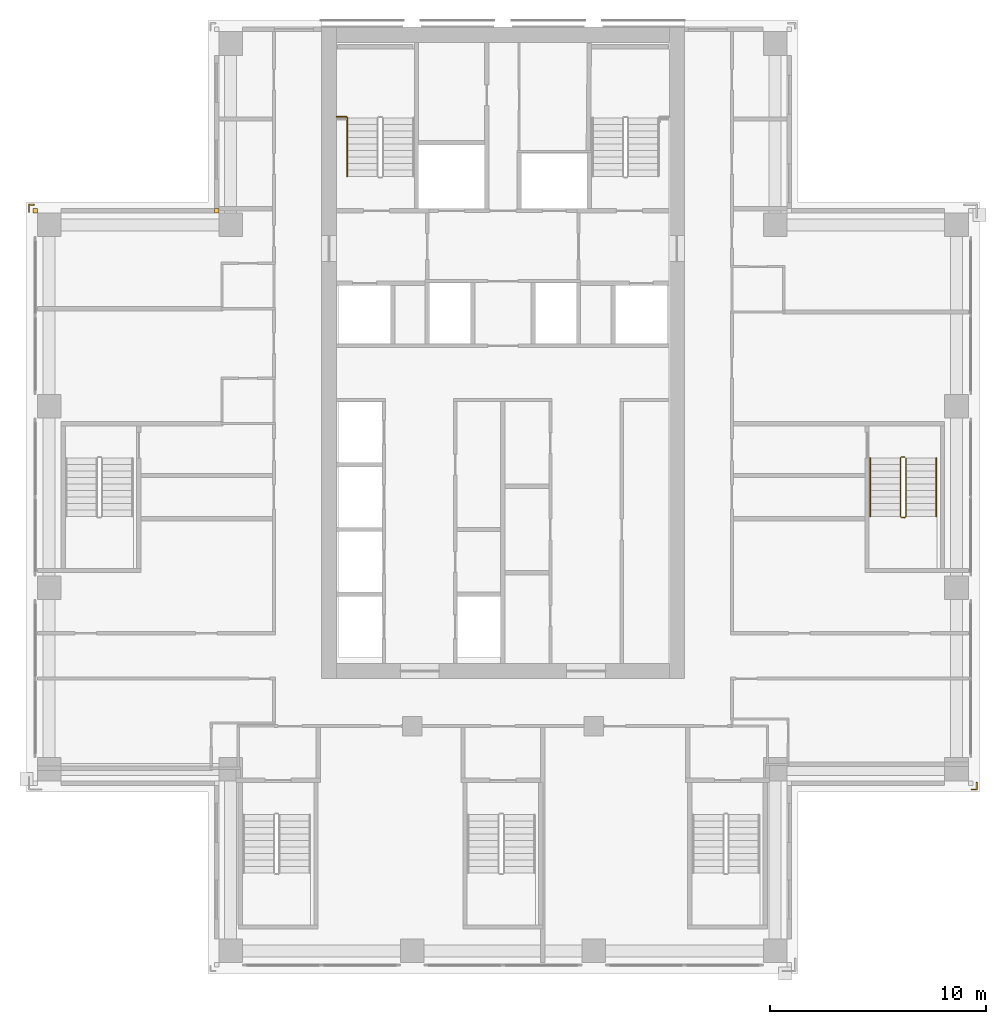
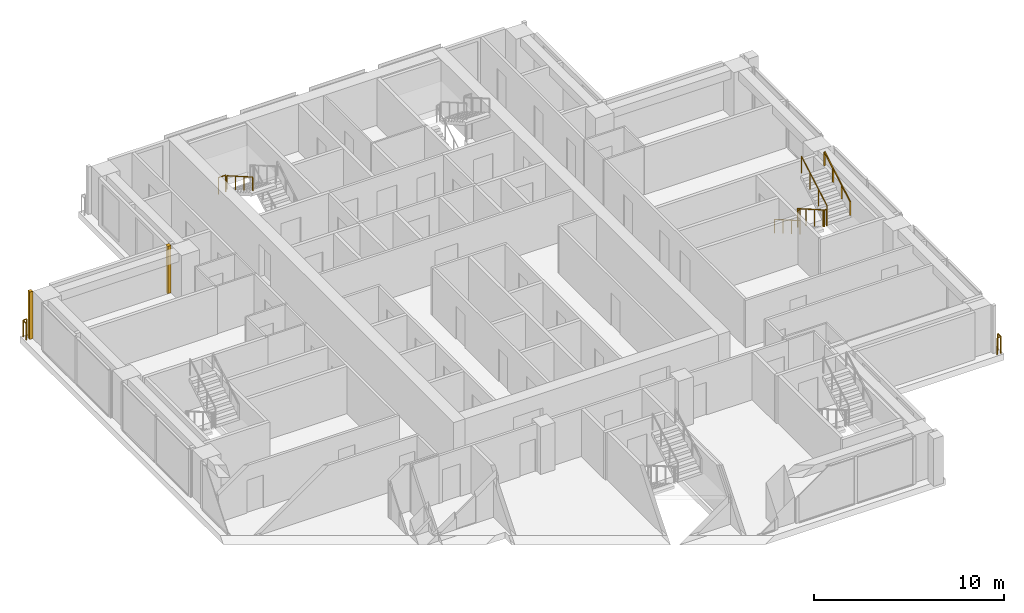
# One storey, part 15 of 16: 7 railings, 2 coverings.
"""IFC4 building model written with IfcOpenShell, lengths in metres."""

from ifc_helpers import new_model, si_unit, direction, frame, origin, origin_2d, place, context, subcontext, project, spatial, polyline, rectangle, outline, extrude, material, type_object, element, save


model = new_model("IFC4")

# Units and contexts
model_context = context("Model", 3, precision=1e-05, world=origin(), true_north=direction((0.0, 1.0)))
body_context = subcontext(model_context, "Body", "Model", "MODEL_VIEW")
ifc_project = project(units=[si_unit("LENGTHUNIT", "METRE"), si_unit("AREAUNIT", "SQUARE_METRE"), si_unit("VOLUMEUNIT", "CUBIC_METRE"), si_unit("PLANEANGLEUNIT", "RADIAN"), si_unit("MASSUNIT", "GRAM", prefix="KILO")], contexts=[model_context])

# Site, building, storey
site_placement = place(None, origin())
site = spatial("IfcSite", under=ifc_project, at=site_placement, CompositionType="ELEMENT")
building_placement = place(site_placement, origin())
building = spatial("IfcBuilding", under=site, at=building_placement, Name="Vermilion Ogive Tower", CompositionType="ELEMENT")
storey_placement = place(building_placement, frame((0.0, 0.0, 160.699951171875)))
storey = spatial("IfcBuildingStorey", under=building, at=storey_placement, Name="L41", CompositionType="ELEMENT", Elevation=160.699951171875)

# Railings
ifc_material_1 = material(Name="Stainless steel", Category="steel")
railing_type_1 = type_object("IfcRailingType", Name="Slab edge guard SG1", PredefinedType="GUARDRAIL", material=ifc_material_1)
railing_1_placement = place(storey_placement, frame((-21.929931640625, 13.199951171875, 0.0)))
element("IfcRailing", 1, at=railing_1_placement, inside=storey, type_object=railing_type_1, Name="L41 slab corner guard", PredefinedType="GUARDRAIL", context=body_context, shape_type="SweptSolid", body=[
    extrude(rectangle(XDim=0.050048828125, YDim=0.050048828125, at=origin_2d()), frame((0.0, 0.0, 1.0751953125), z_axis=(0.0, 1.0, 0.0), x_axis=(-1.0, 0.0, 0.0)), (0.0, 0.0, 1.0), 0.330078125),
    extrude(rectangle(XDim=0.050048828125, YDim=0.050048828125, at=origin_2d()), frame((0.0, 0.330078125, 1.0751953125), z_axis=(1.0, 0.0, 0.0), x_axis=(0.0, 1.0, 0.0)), (0.0, 0.0, 1.0), 0.22998046875),
    extrude(rectangle(XDim=0.050048828125, YDim=0.050048828125, at=origin_2d()), origin(), (0.0, 0.0, 1.0), 1.050048828125),
    extrude(rectangle(XDim=0.050048828125, YDim=0.050048828125, at=origin_2d()), frame((0.0, 0.330078125, 0.0)), (0.0, 0.0, 1.0), 1.050048828125),
    extrude(rectangle(XDim=0.050048828125, YDim=0.050048828125, at=origin_2d()), frame((0.22998046875, 0.330078125, 0.0)), (0.0, 0.0, 1.0), 1.050048828125),
])
railing_2_placement = place(storey_placement, frame((21.929931640625, -13.199951171875, 0.0)))
element("IfcRailing", 2, at=railing_2_placement, inside=storey, type_object=railing_type_1, Name="L41 slab corner guard", PredefinedType="GUARDRAIL", context=body_context, shape_type="SweptSolid", body=[
    extrude(rectangle(XDim=0.050048828125, YDim=0.050048828125, at=origin_2d()), frame((0.0, 0.0, 1.0751953125), z_axis=(0.0, -1.0, 0.0), x_axis=(1.0, 0.0, 0.0)), (0.0, 0.0, 1.0), 0.330078125),
    extrude(rectangle(XDim=0.050048828125, YDim=0.050048828125, at=origin_2d()), frame((0.0, -0.330078125, 1.0751953125), z_axis=(-1.0, 0.0, 0.0), x_axis=(0.0, -1.0, 0.0)), (0.0, 0.0, 1.0), 0.22998046875),
    extrude(rectangle(XDim=0.050048828125, YDim=0.050048828125, at=origin_2d()), origin(), (0.0, 0.0, 1.0), 1.050048828125),
    extrude(rectangle(XDim=0.050048828125, YDim=0.050048828125, at=origin_2d()), frame((0.0, -0.330078125, 0.0)), (0.0, 0.0, 1.0), 1.050048828125),
    extrude(rectangle(XDim=0.050048828125, YDim=0.050048828125, at=origin_2d()), frame((-0.22998046875, -0.330078125, 0.0)), (0.0, 0.0, 1.0), 1.050048828125),
])
ifc_material_2 = material(Name="Steel S355 painted", Category="steel")
railing_type_2 = type_object("IfcRailingType", Name="Stair guard 1100", PredefinedType="GUARDRAIL", material=ifc_material_2)
railing_3_placement = place(storey_placement, frame((18.60009765625, 1.85009765625, 0.0)))
element("IfcRailing", 3, at=railing_3_placement, inside=storey, type_object=railing_type_2, Name="L41 ST8 stair guard 4", PredefinedType="GUARDRAIL", context=body_context, shape_type="SweptSolid", body=[
    extrude(rectangle(XDim=0.048095703125, YDim=0.048095703125, at=origin_2d()), frame((0.0, 0.0, 1.076171875), z_axis=(-1.0, 0.0, 0.0), x_axis=(0.0, -1.0, 0.0)), (0.0, 0.0, 1.0), 0.150146484375),
    extrude(rectangle(XDim=0.048095703125, YDim=0.048095703125, at=origin_2d()), frame((-0.150146484375, 0.0, 1.076171875), z_axis=(-0.268277960024, -0.268277960024, 0.925231793839), x_axis=(0.707106781187, -0.707106781187, 0.0)), (0.0, 0.0, 1.0), 0.1865234375),
    extrude(rectangle(XDim=0.048095703125, YDim=0.048095703125, at=origin_2d()), frame((-0.2001953125, -0.050048828125, 1.24853515625), z_axis=(0.0, -0.866903762492, 0.498475542607), x_axis=(1.0, 0.0, 0.0)), (0.0, 0.0, 1.0), 3.114501953125),
    extrude(rectangle(XDim=0.048095703125, YDim=0.048095703125, at=origin_2d()), frame((-0.2001953125, -2.75, 2.80126953125), z_axis=(0.707106781187, -0.707106781187, 0.0), x_axis=(0.707106781187, 0.707106781187, 0.0)), (0.0, 0.0, 1.0), 0.07080078125),
    extrude(rectangle(XDim=0.048095703125, YDim=0.048095703125, at=origin_2d()), frame((-0.150146484375, -2.800048828125, 2.80126953125), z_axis=(1.0, 0.0, 0.0), x_axis=(0.0, 1.0, 0.0)), (0.0, 0.0, 1.0), 0.150146484375),
    extrude(rectangle(XDim=0.048095703125, YDim=0.048095703125, at=origin_2d()), frame((0.0, -2.800048828125, 2.80126953125), z_axis=(0.267386790225, 0.268697509785, 0.925368009307), x_axis=(-0.708833529934, 0.705375805398, 0.0)), (0.0, 0.0, 1.0), 0.186279296875),
    extrude(rectangle(XDim=0.048095703125, YDim=0.048095703125, at=origin_2d()), frame((0.0498046875, -2.75, 2.9736328125), z_axis=(0.0, 0.866903762492, 0.498475542607), x_axis=(-1.0, 0.0, 0.0)), (0.0, 0.0, 1.0), 3.114501953125),
    extrude(rectangle(XDim=0.0419921875, YDim=0.0419921875, at=origin_2d()), origin(), (0.0, 0.0, 1.0), 1.052001953125),
    extrude(rectangle(XDim=0.0419921875, YDim=0.0419921875, at=origin_2d()), frame((-0.150146484375, 0.0, 0.0)), (0.0, 0.0, 1.0), 1.052001953125),
    extrude(rectangle(XDim=0.0419921875, YDim=0.0419921875, at=origin_2d()), frame((-0.2001953125, -0.050048828125, 0.172607421875)), (0.0, 0.0, 1.0), 1.052001953125),
    extrude(rectangle(XDim=0.0419921875, YDim=0.0419921875, at=origin_2d()), frame((-0.2001953125, -0.949951171875, 0.690185546875)), (0.0, 0.0, 1.0), 1.052001953125),
    extrude(rectangle(XDim=0.0419921875, YDim=0.0419921875, at=origin_2d()), frame((-0.2001953125, -1.85009765625, 1.20751953125)), (0.0, 0.0, 1.0), 1.052001953125),
    extrude(rectangle(XDim=0.0419921875, YDim=0.0419921875, at=origin_2d()), frame((-0.2001953125, -2.75, 1.72509765625)), (0.0, 0.0, 1.0), 1.052001953125),
    extrude(rectangle(XDim=0.0419921875, YDim=0.0419921875, at=origin_2d()), frame((-0.150146484375, -2.800048828125, 1.72509765625)), (0.0, 0.0, 1.0), 1.052001953125),
    extrude(rectangle(XDim=0.0419921875, YDim=0.0419921875, at=origin_2d()), frame((0.0, -2.800048828125, 1.72509765625)), (0.0, 0.0, 1.0), 1.052001953125),
    extrude(rectangle(XDim=0.0419921875, YDim=0.0419921875, at=origin_2d()), frame((0.0498046875, -2.75, 1.8974609375)), (0.0, 0.0, 1.0), 1.052001953125),
    extrude(rectangle(XDim=0.0419921875, YDim=0.0419921875, at=origin_2d()), frame((0.0498046875, -1.85009765625, 2.4150390625)), (0.0, 0.0, 1.0), 1.052001953125),
    extrude(rectangle(XDim=0.0419921875, YDim=0.0419921875, at=origin_2d()), frame((0.0498046875, -0.949951171875, 2.932373046875)), (0.0, 0.0, 1.0), 1.052001953125),
    extrude(rectangle(XDim=0.0419921875, YDim=0.0419921875, at=origin_2d()), frame((0.0498046875, -0.050048828125, 3.449951171875)), (0.0, 0.0, 1.0), 1.052001953125),
])
railing_4_placement = place(storey_placement, frame((-7.699951171875, 17.60009765625, 1.72509765625)))
element("IfcRailing", 4, at=railing_4_placement, inside=storey, type_object=railing_type_2, Name="L41 landing guard", PredefinedType="GUARDRAIL", context=body_context, shape_type="SweptSolid", body=[
    extrude(rectangle(XDim=0.048095703125, YDim=0.048095703125, at=origin_2d()), frame((0.0, 0.0, 1.076171875), z_axis=(1.0, 0.0, 0.0), x_axis=(0.0, 1.0, 0.0)), (0.0, 0.0, 1.0), 0.449951171875),
    extrude(rectangle(XDim=0.0419921875, YDim=0.0419921875, at=origin_2d()), origin(), (0.0, 0.0, 1.0), 1.052001953125),
    extrude(rectangle(XDim=0.0419921875, YDim=0.0419921875, at=origin_2d()), frame((0.449951171875, 0.0, 0.0)), (0.0, 0.0, 1.0), 1.052001953125),
])
ifc_material_3 = material(Name="Stainless steel", Category="steel")
railing_type_3 = type_object("IfcRailingType", Name="Stair handrail 900", PredefinedType="HANDRAIL", material=ifc_material_3)
for number, where, name in (
    (5, (-7.199951171875, 17.550048828125, 1.8974609375), "L41 ST1 stair handrail 2"),
    (6, (17.0, 1.800048828125, 0.172607421875), "L41 ST8 stair handrail 1"),
):
    element("IfcRailing", number, at=place(storey_placement, frame(where)), inside=storey, type_object=railing_type_3, Name=name, PredefinedType="HANDRAIL", context=body_context, shape_type="SweptSolid", body=[
        extrude(rectangle(XDim=0.048095703125, YDim=0.048095703125, at=origin_2d()), frame((0.0, 0.0, 0.8759765625), z_axis=(0.0, -0.866903762492, 0.498475542607), x_axis=(1.0, 0.0, 0.0)), (0.0, 0.0, 1.0), 3.114501953125),
        extrude(rectangle(XDim=0.0419921875, YDim=0.0419921875, at=origin_2d()), origin(), (0.0, 0.0, 1.0), 0.851806640625),
        extrude(rectangle(XDim=0.0419921875, YDim=0.0419921875, at=origin_2d()), frame((0.0, -0.89990234375, 0.517578125)), (0.0, 0.0, 1.0), 0.851806640625),
        extrude(rectangle(XDim=0.0419921875, YDim=0.0419921875, at=origin_2d()), frame((0.0, -1.800048828125, 1.034912109375)), (0.0, 0.0, 1.0), 0.851806640625),
        extrude(rectangle(XDim=0.0419921875, YDim=0.0419921875, at=origin_2d()), frame((0.0, -2.699951171875, 1.552490234375)), (0.0, 0.0, 1.0), 0.851806640625),
    ])
railing_5_placement = place(storey_placement, frame((20.050048828125, -0.89990234375, 1.8974609375)))
element("IfcRailing", 7, at=railing_5_placement, inside=storey, type_object=railing_type_3, Name="L41 ST8 stair handrail 2", PredefinedType="HANDRAIL", context=body_context, shape_type="SweptSolid", body=[
    extrude(rectangle(XDim=0.048095703125, YDim=0.048095703125, at=origin_2d()), frame((0.0, 0.0, 0.8759765625), z_axis=(0.0, 0.866903762492, 0.498475542607), x_axis=(-1.0, 0.0, 0.0)), (0.0, 0.0, 1.0), 3.114501953125),
    extrude(rectangle(XDim=0.0419921875, YDim=0.0419921875, at=origin_2d()), origin(), (0.0, 0.0, 1.0), 0.851806640625),
    extrude(rectangle(XDim=0.0419921875, YDim=0.0419921875, at=origin_2d()), frame((0.0, 0.89990234375, 0.517578125)), (0.0, 0.0, 1.0), 0.851806640625),
    extrude(rectangle(XDim=0.0419921875, YDim=0.0419921875, at=origin_2d()), frame((0.0, 1.800048828125, 1.034912109375)), (0.0, 0.0, 1.0), 0.851806640625),
    extrude(rectangle(XDim=0.0419921875, YDim=0.0419921875, at=origin_2d()), frame((0.0, 2.699951171875, 1.552490234375)), (0.0, 0.0, 1.0), 0.851806640625),
])

# Coverings
ifc_material_4 = material(Name="Stone cladding", Category="masonry")
covering_type = type_object("IfcCoveringType", Name="Stone pier", PredefinedType="CLADDING", material=ifc_material_4)
covering_1_placement = place(storey_placement, origin())
element("IfcCovering", 8, at=covering_1_placement, inside=storey, type_object=covering_type, Name="Stone corner pier X5E1", PredefinedType="CLADDING", context=body_context, shape_type="SweptSolid", body=[
    extrude(outline(polyline([(-13.14990234375, 13.14990234375), (-13.35009765625, 13.14990234375), (-13.35009765625, 13.35009765625), (-13.14990234375, 13.35009765625), (-13.14990234375, 13.14990234375)])), origin(), (0.0, 0.0, 1.0), 3.050048828125),
])
covering_2_placement = place(storey_placement, origin())
element("IfcCovering", 9, at=covering_2_placement, inside=storey, type_object=covering_type, Name="Stone corner pier X6E1", PredefinedType="CLADDING", context=body_context, shape_type="SweptSolid", body=[
    extrude(outline(polyline([(-21.550048828125, 13.35009765625), (-21.550048828125, 13.14990234375), (-21.75, 13.14990234375), (-21.75, 13.35009765625), (-21.550048828125, 13.35009765625)])), origin(), (0.0, 0.0, 1.0), 3.050048828125),
])

save(model, "model.ifc")
